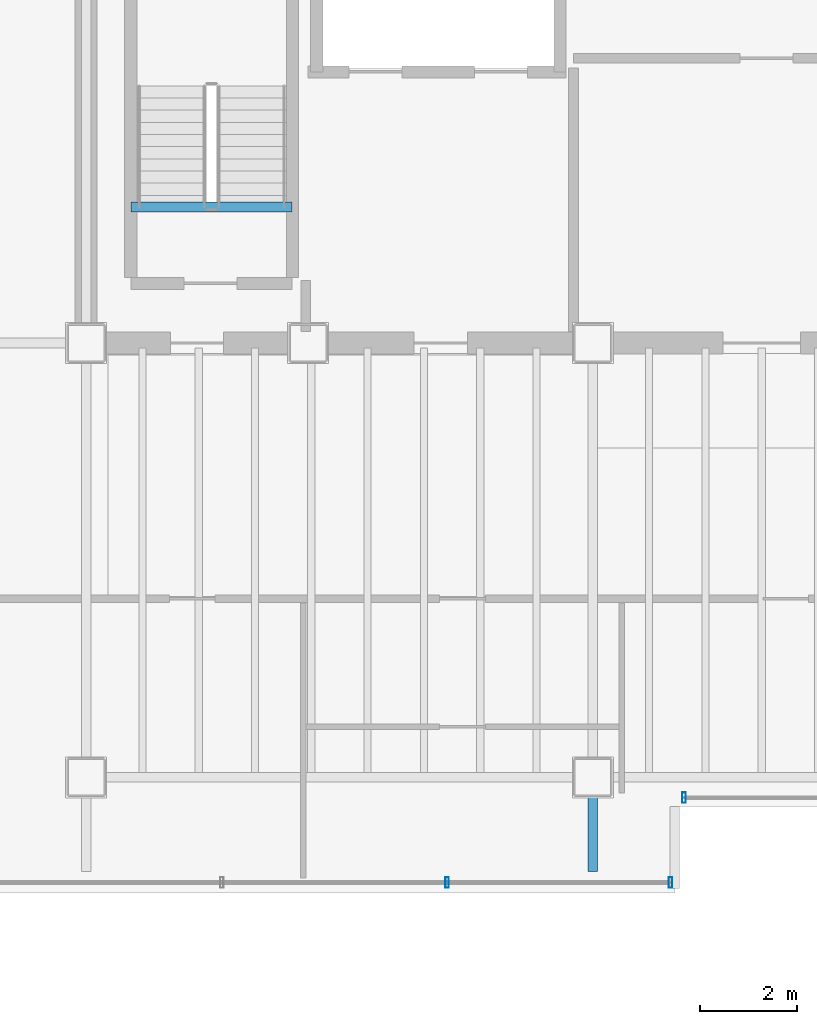
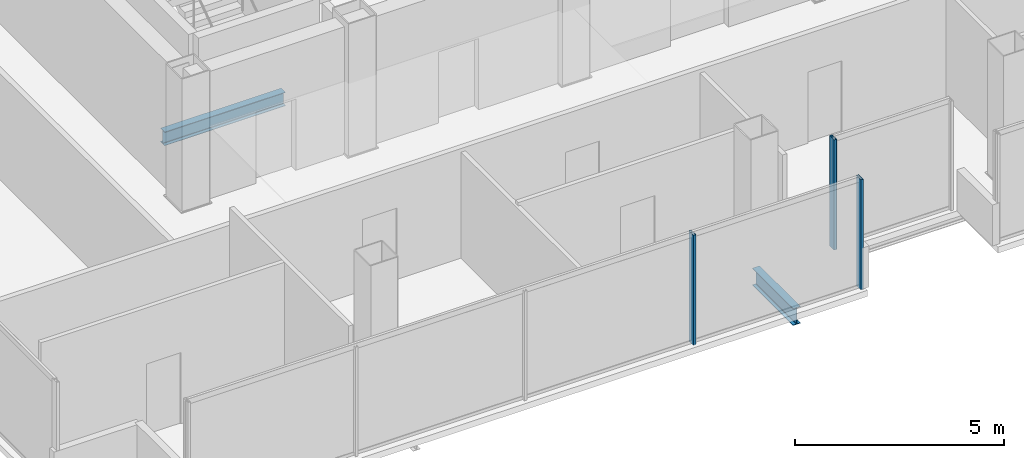
# One storey, part 5 of 17: 3 members, 2 beams, 2 elements without a shape of their own.
"""IFC4 building model written with IfcOpenShell, lengths in metres."""

import ifcopenshell
import ifcopenshell.guid

model = None  # the IFC model being written
_history = None  # IfcOwnerHistory: only IFC2X3 demands one
_inside = {}  # id of a spatial element -> (the spatial element, [elements in it])
_under = {}  # id of a project, library or spatial element -> (it, [spatial elements below it])
_declared = {}  # id of a project -> (the project, [libraries it declares])
_typed = {}  # id of a type object -> (the type object, [elements of that type])
_made_of = {}  # id of a material, layer set ... -> (it, [elements and type objects made of it])


def new_model(schema):
    """Start an empty IFC model of exactly this schema.

    Asked for "IFC4X3", IfcOpenShell would pick the latest addendum, in which some entities
    have other attributes; the version numbers below select the first issue.
    IFC2X3 requires an IfcOwnerHistory on every rooted entity: one is made here for all.
    """
    global model, _history
    if schema == "IFC4X3":
        model = ifcopenshell.file(schema_version=(4, 3, 0, 0))
    else:
        model = ifcopenshell.file(schema=schema)
    _inside.clear()
    _under.clear()
    _declared.clear()
    _typed.clear()
    _made_of.clear()
    _history = None
    if model.schema == "IFC2X3":
        org = make("IfcOrganization", Name="unknown")
        user = make(
            "IfcPersonAndOrganization",
            ThePerson=make("IfcPerson", FamilyName="unknown"),
            TheOrganization=org,
        )
        app = make(
            "IfcApplication",
            ApplicationDeveloper=org,
            Version="unknown",
            ApplicationFullName="unknown",
            ApplicationIdentifier="unknown",
        )
        _history = make(
            "IfcOwnerHistory",
            OwningUser=user,
            OwningApplication=app,
            ChangeAction="ADDED",
            CreationDate=0,
        )
    return model


def make(cls, **values):
    """One entity of the class cls with the attributes given. An attribute that is None is left unset."""
    return model.create_entity(
        cls, **{name: value for name, value in values.items() if value is not None}
    )


def rooted(cls, **values):
    """An entity with a GlobalId (a new one), such as an element, a storey or a relation."""
    return make(cls, GlobalId=ifcopenshell.guid.new(), OwnerHistory=_history, **values)


def si_unit(unit_type, name, prefix=None):
    """IfcSIUnit, for example si_unit("LENGTHUNIT", "METRE", prefix="MILLI")."""
    return make("IfcSIUnit", UnitType=unit_type, Prefix=prefix, Name=name)


def assignment(units):
    """IfcUnitAssignment: the units of a project."""
    return None if units is None else make("IfcUnitAssignment", Units=units)


def point(xyz):
    """IfcCartesianPoint."""
    return None if xyz is None else make("IfcCartesianPoint", Coordinates=xyz)


def direction(xyz):
    """IfcDirection."""
    return None if xyz is None else make("IfcDirection", DirectionRatios=xyz)


def frame(location, z_axis=None, x_axis=None):
    """IfcAxis2Placement3D, a coordinate frame: its origin and axes. An axis left out is left unset."""
    return make(
        "IfcAxis2Placement3D",
        Location=point(location),
        Axis=direction(z_axis),
        RefDirection=direction(x_axis),
    )


def frame_2d(location, x_axis=None):
    """IfcAxis2Placement2D, a coordinate frame in the plane: its origin and x axis."""
    return make(
        "IfcAxis2Placement2D", Location=point(location), RefDirection=direction(x_axis)
    )


def origin():
    """The frame at (0, 0, 0) with its axes left unset."""
    return frame((0.0, 0.0, 0.0))


def origin_2d():
    """The frame at (0, 0) in the plane with its x axis left unset."""
    return frame_2d((0.0, 0.0))


def place(relative_to, where):
    """IfcLocalPlacement: puts the frame where relative to a parent placement (None: the world)."""
    return make(
        "IfcLocalPlacement", PlacementRelTo=relative_to, RelativePlacement=where
    )


def context(
    kind, dimensions, precision=None, world=None, true_north=None, identifier=None
):
    """IfcGeometricRepresentationContext, for example the 3D "Model" context."""
    return make(
        "IfcGeometricRepresentationContext",
        ContextIdentifier=identifier,
        ContextType=kind,
        CoordinateSpaceDimension=dimensions,
        Precision=precision,
        WorldCoordinateSystem=world,
        TrueNorth=true_north,
    )


def subcontext(parent, identifier, kind, view, scale=None):
    """IfcGeometricRepresentationSubContext, for example "Body" below "Model"."""
    return make(
        "IfcGeometricRepresentationSubContext",
        ContextIdentifier=identifier,
        ContextType=kind,
        ParentContext=parent,
        TargetScale=scale,
        TargetView=view,
    )


def project(units=None, contexts=None):
    """IfcProject with its units and contexts."""
    return rooted(
        "IfcProject",
        Name="project",
        RepresentationContexts=contexts,
        UnitsInContext=assignment(units),
    )


def spatial(cls, under=None, at=None, **own):
    """A site, building, storey or space (cls), placed at a placement, below another one or the project."""
    s = rooted(cls, ObjectPlacement=at, **own)
    if under is not None:
        _under.setdefault(under.id(), (under, []))[1].append(s)
    return s


def profile(cls, at=None, kind="AREA", **sizes):
    """A parametric profile (cls). Its sizes go by their IFC names, for example OverallWidth=200.0."""
    return make(cls, ProfileType=kind, Position=at, **sizes)


def hollow_rectangle(**sizes):
    """IfcRectangleHollowProfileDef."""
    return profile("IfcRectangleHollowProfileDef", **sizes)


def i_section(**sizes):
    """IfcIShapeProfileDef."""
    return profile("IfcIShapeProfileDef", **sizes)


def extrude(swept, where, along, depth):
    """IfcExtrudedAreaSolid: the profile swept, set in the frame where, extruded along a direction by depth."""
    return make(
        "IfcExtrudedAreaSolid",
        SweptArea=swept,
        Position=where,
        ExtrudedDirection=direction(along),
        Depth=depth,
    )


def shape(context_of_items, identifier, shape_type, items):
    """IfcShapeRepresentation: the items that make up one representation, for example the "Body"."""
    return make(
        "IfcShapeRepresentation",
        ContextOfItems=context_of_items,
        RepresentationIdentifier=identifier,
        RepresentationType=shape_type,
        Items=items,
    )


def material(Name=None, Category=None):
    """IfcMaterial."""
    return make("IfcMaterial", Name=Name, Category=Category)


def material_profile(
    of_material, cross_section, Name=None, Category=None, Priority=None
):
    """IfcMaterialProfile: a cross section and its material."""
    return make(
        "IfcMaterialProfile",
        Name=Name,
        Material=of_material,
        Profile=cross_section,
        Priority=Priority,
        Category=Category,
    )


def profile_set(profiles, Name=None, composite=None):
    """IfcMaterialProfileSet."""
    return make(
        "IfcMaterialProfileSet",
        Name=Name,
        MaterialProfiles=profiles,
        CompositeProfile=composite,
    )


def made_of(thing, what):
    """Note that an element or type object is made of a material, layer set ...; save() writes the relation."""
    if what is not None:
        _made_of.setdefault(what.id(), (what, []))[1].append(thing)
    return thing


def type_object(cls, material=None, **own):
    """A type object (cls), such as IfcWallType, which elements share."""
    return made_of(rooted(cls, **own), material)


def element(
    cls,
    number,
    at=None,
    inside=None,
    cuts=None,
    type_object=None,
    material=None,
    context=None,
    identifier="Body",
    shape_type=None,
    held_by="IfcProductDefinitionShape",
    body=None,
    shapes=None,
    **own,
):
    """One element of the class cls, such as IfcWall. Its Tag is "e" and its number.

    at: its placement. inside: the storey or other place that contains it. cuts: it is an
    opening in that element (IfcRelVoidsElement). A single representation is given by context,
    identifier, shape_type and body (its items); several are given by shapes. held_by: the class
    of the entity that holds the representations. save() writes the other relations.
    """
    e = rooted(cls, Tag="e%d" % number, ObjectPlacement=at, **own)
    if body is not None:
        shapes = [shape(context, identifier, shape_type, body)]
    if shapes is not None:
        e.Representation = make(held_by, Representations=shapes)
    if inside is not None:
        _inside.setdefault(inside.id(), (inside, []))[1].append(e)
    if cuts is not None:
        rooted(
            "IfcRelVoidsElement", RelatingBuildingElement=cuts, RelatedOpeningElement=e
        )
    if type_object is not None:
        _typed.setdefault(type_object.id(), (type_object, []))[1].append(e)
    return made_of(e, material)


def aggregate(whole, parts):
    """IfcRelAggregates: a whole, such as a stair, and the parts it consists of."""
    return rooted("IfcRelAggregates", RelatingObject=whole, RelatedObjects=parts)


def save(model, path):
    """Write the relations noted so far, then the file.

    IfcRelAggregates (storeys below a building ...), IfcRelContainedInSpatialStructure (elements
    in a storey), IfcRelDefinesByType, IfcRelAssociatesMaterial and IfcRelDeclares: one each for
    every whole, place, type object, material and project.
    """
    for whole, parts in _under.values():
        aggregate(whole, parts)
    for where, things in _inside.values():
        rooted(
            "IfcRelContainedInSpatialStructure",
            RelatedElements=things,
            RelatingStructure=where,
        )
    for kind, things in _typed.values():
        rooted("IfcRelDefinesByType", RelatedObjects=things, RelatingType=kind)
    for what, things in _made_of.values():
        rooted("IfcRelAssociatesMaterial", RelatedObjects=things, RelatingMaterial=what)
    for by, libraries in _declared.values():
        rooted("IfcRelDeclares", RelatingContext=by, RelatedDefinitions=libraries)
    model.write(path)


model = new_model("IFC4")

# Units and contexts
model_context = context("Model", 3, precision=1e-05, world=origin(), true_north=direction((0.0, 1.0)))
body_context = subcontext(model_context, "Body", "Model", "MODEL_VIEW")
ifc_project = project(units=[si_unit("LENGTHUNIT", "METRE"), si_unit("AREAUNIT", "SQUARE_METRE"), si_unit("VOLUMEUNIT", "CUBIC_METRE"), si_unit("PLANEANGLEUNIT", "RADIAN"), si_unit("MASSUNIT", "GRAM", prefix="KILO")], contexts=[model_context])

# Site, building, storey
site_placement = place(None, origin())
site = spatial("IfcSite", under=ifc_project, at=site_placement, CompositionType="ELEMENT")
building_placement = place(site_placement, origin())
building = spatial("IfcBuilding", under=site, at=building_placement, Name="Noeulbin Bourse Tower", CompositionType="ELEMENT")
storey_placement = place(building_placement, frame((0.0, 0.0, 265.699951171875)))
storey = spatial("IfcBuildingStorey", under=building, at=storey_placement, Name="L66", CompositionType="ELEMENT", Elevation=265.699951171875)

# Beams
ifc_material_1 = material(Name="Steel S355", Category="steel")
ifc_material_profile_1 = material_profile(ifc_material_1, i_section(OverallWidth=0.199951171875, OverallDepth=0.5, WebThickness=0.010009765625, FlangeThickness=0.01611328125, FilletRadius=0.02001953125, at=origin_2d()), Name="H-500x200x10x16", Category="LoadBearing")
ifc_profile_set_1 = profile_set([ifc_material_profile_1], Name="Steel S355")
beam_type_1 = type_object("IfcBeamType", Name="BM-GRD-500", PredefinedType="USERDEFINED", material=ifc_profile_set_1)
beam_1_placement = place(storey_placement, frame((24.0, 18.050048828125, -0.429931640625), z_axis=(0.0, 1.0, 0.0), x_axis=(-1.0, 0.0, 0.0)))
element("IfcBeam", 1, at=beam_1_placement, inside=storey, type_object=beam_type_1, Name="Tower Primary Girder NS L66-2.1", ObjectType="GIRDER", PredefinedType="USERDEFINED", context=body_context, shape_type="SweptSolid", body=[
    extrude(i_section(OverallWidth=0.199951171875, OverallDepth=0.5, WebThickness=0.010009765625, FlangeThickness=0.01611328125, FilletRadius=0.02001953125, at=origin_2d()), origin(), (0.0, 0.0, 1.0), 1.949951171875),
])
ifc_material_profile_2 = material_profile(ifc_material_1, i_section(OverallWidth=0.199951171875, OverallDepth=0.39990234375, WebThickness=0.008056640625, FlangeThickness=0.012939453125, FilletRadius=0.01611328125, at=origin_2d()), Name="H-400x200x8x13", Category="LoadBearing")
ifc_profile_set_2 = profile_set([ifc_material_profile_2], Name="Steel S355")
beam_type_2 = type_object("IfcBeamType", Name="BM-SEC-400", PredefinedType="BEAM", material=ifc_profile_set_2)
beam_2_placement = place(storey_placement, frame((14.429931640625, 31.820068359375, -0.199951171875), z_axis=(1.0, 0.0, 0.0), x_axis=(0.0, 1.0, 0.0)))
element("IfcBeam", 2, at=beam_2_placement, inside=storey, type_object=beam_type_2, Name="Stair Threshold Trimmer Beam ST1-L66", PredefinedType="BEAM", context=body_context, shape_type="SweptSolid", body=[
    extrude(i_section(OverallWidth=0.199951171875, OverallDepth=0.39990234375, WebThickness=0.008056640625, FlangeThickness=0.012939453125, FilletRadius=0.01611328125, at=origin_2d()), origin(), (0.0, 0.0, 1.0), 3.340087890625),
])

# Curtain wall, member
ifc_material_2 = material(Name="High-Selectivity Low-Iron Glazing", Category="glass")
curtain_wall_type = type_object("IfcCurtainWallType", Name="CW-SYS-4", PredefinedType="NOTDEFINED", material=ifc_material_2)
curtain_wall_1_placement = place(storey_placement, origin())
curtain_wall_1 = element("IfcCurtainWall", 3, at=curtain_wall_1_placement, inside=storey, type_object=curtain_wall_type, Name="Unitised Curtain Wall CW-L66-SREC", PredefinedType="NOTDEFINED")
ifc_material_3 = material(Name="Anodised Aluminium 6063-T6", Category="aluminium")
ifc_material_profile_3 = material_profile(ifc_material_3, hollow_rectangle(XDim=0.074951171875, YDim=0.219970703125, WallThickness=0.0048828125, InnerFilletRadius=0.00244140625, OuterFilletRadius=0.0048828125, at=origin_2d()), Name="ALU-MULL-75x220x5", Category="LoadBearing")
ifc_profile_set_3 = profile_set([ifc_material_profile_3], Name="Anodised Aluminium 6063-T6")
member_type = type_object("IfcMemberType", Name="CW-SYS-4-MUL", PredefinedType="MULLION", material=ifc_profile_set_3)
member_1_placement = place(storey_placement, frame((25.889892578125, 19.580078125, -0.02001953125), z_axis=(0.0, 0.0, 1.0), x_axis=(1.0, 0.0, 0.0)))
member_1 = element("IfcMember", 4, at=member_1_placement, type_object=member_type, Name="Curtain Wall Mullion CW-L66-SREC-M00", PredefinedType="MULLION", context=body_context, shape_type="SweptSolid", body=[
    extrude(hollow_rectangle(XDim=0.074951171875, YDim=0.219970703125, WallThickness=0.0048828125, InnerFilletRadius=0.00244140625, OuterFilletRadius=0.0048828125, at=origin_2d()), origin(), (0.0, 0.0, 1.0), 3.219970703125),
])
aggregate(curtain_wall_1, [member_1])

# Curtain wall, members
curtain_wall_2_placement = place(storey_placement, origin())
curtain_wall_2 = element("IfcCurtainWall", 5, at=curtain_wall_2_placement, inside=storey, type_object=curtain_wall_type, Name="Unitised Curtain Wall CW-L66-S1", PredefinedType="NOTDEFINED")
member_2_placement = place(storey_placement, frame((20.982421875, 17.820068359375, -0.02001953125), z_axis=(0.0, 0.0, 1.0), x_axis=(1.0, 0.0, 0.0)))
member_2 = element("IfcMember", 6, at=member_2_placement, type_object=member_type, Name="Curtain Wall Mullion CW-L66-S1-M03", PredefinedType="MULLION", context=body_context, shape_type="SweptSolid", body=[
    extrude(hollow_rectangle(XDim=0.074951171875, YDim=0.219970703125, WallThickness=0.0048828125, InnerFilletRadius=0.00244140625, OuterFilletRadius=0.0048828125, at=origin_2d()), origin(), (0.0, 0.0, 1.0), 3.219970703125),
])
member_3_placement = place(storey_placement, frame((25.610107421875, 17.820068359375, -0.02001953125), z_axis=(0.0, 0.0, 1.0), x_axis=(1.0, 0.0, 0.0)))
member_3 = element("IfcMember", 7, at=member_3_placement, type_object=member_type, Name="Curtain Wall Mullion CW-L66-S1-M04", PredefinedType="MULLION", context=body_context, shape_type="SweptSolid", body=[
    extrude(hollow_rectangle(XDim=0.074951171875, YDim=0.219970703125, WallThickness=0.0048828125, InnerFilletRadius=0.00244140625, OuterFilletRadius=0.0048828125, at=origin_2d()), origin(), (0.0, 0.0, 1.0), 3.219970703125),
])
aggregate(curtain_wall_2, [member_2, member_3])

save(model, "model.ifc")
